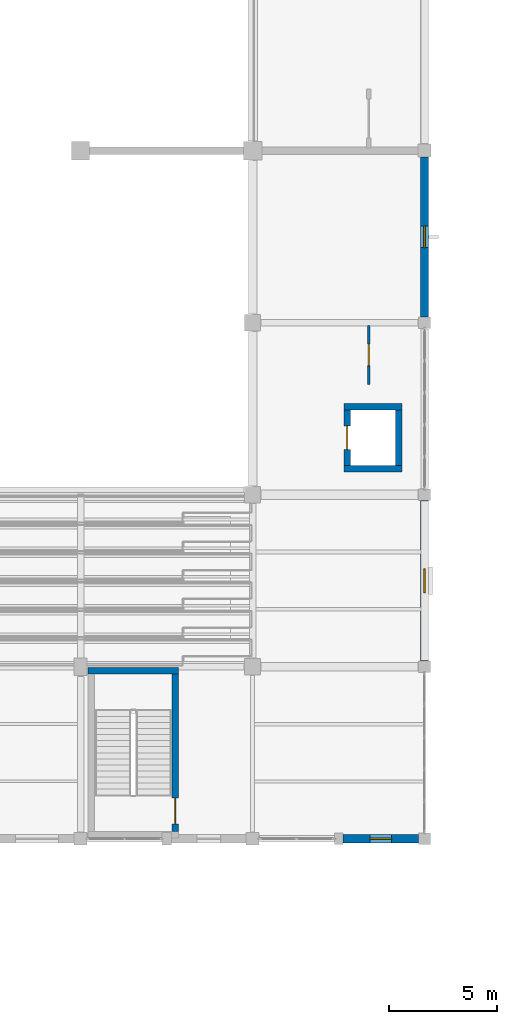
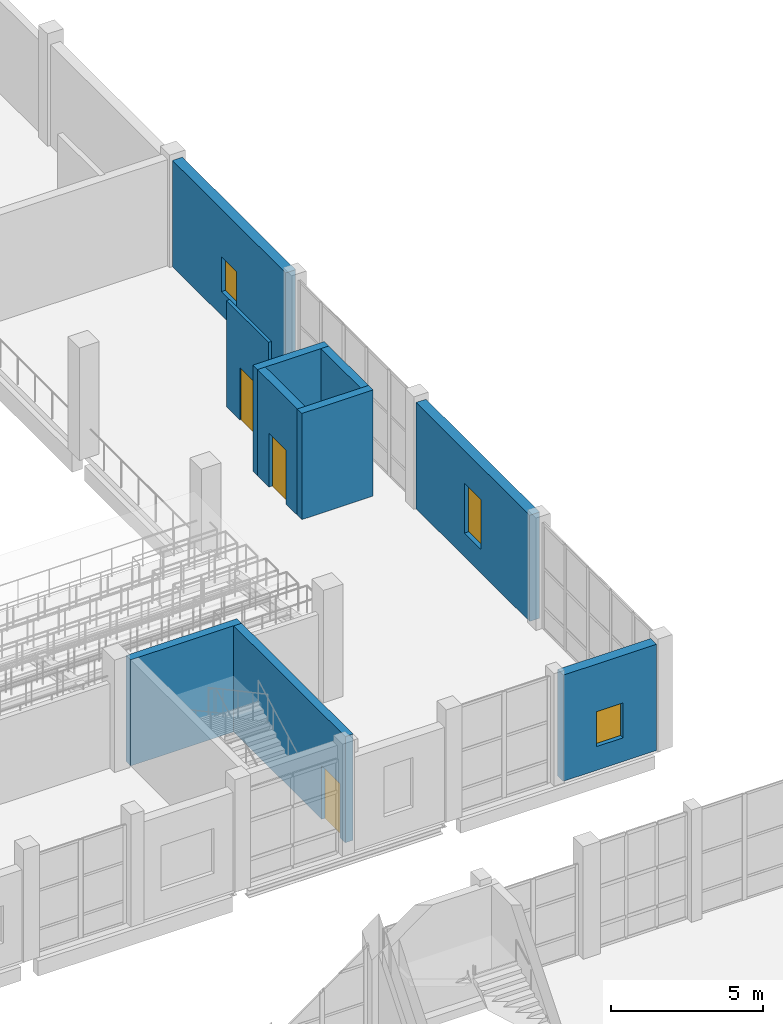
# One storey, part 141 of 183: 10 walls, 3 doors, 3 windows, 6 openings.
"""IFC4 building model written with IfcOpenShell, lengths in metres."""

from ifc_helpers import new_model, si_unit, direction, frame, frame_2d, origin, place, context, subcontext, project, spatial, rectangle, extrude, material, layer, layer_set, type_object, element, fill, save


model = new_model("IFC4")

# Units and contexts
model_context = context("Model", 3, precision=1e-05, world=origin(), true_north=direction((0.0, 1.0)))
body_context = subcontext(model_context, "Body", "Model", "MODEL_VIEW")
ifc_project = project(units=[si_unit("LENGTHUNIT", "METRE"), si_unit("AREAUNIT", "SQUARE_METRE"), si_unit("VOLUMEUNIT", "CUBIC_METRE"), si_unit("PLANEANGLEUNIT", "RADIAN"), si_unit("MASSUNIT", "GRAM", prefix="KILO")], contexts=[model_context])

# Site, building, storey
site_placement = place(None, origin())
site = spatial("IfcSite", under=ifc_project, at=site_placement, CompositionType="ELEMENT")
building_placement = place(site_placement, origin())
building = spatial("IfcBuilding", under=site, at=building_placement, Name="Luwemba Playhouse", CompositionType="ELEMENT")
storey_placement = place(building_placement, frame((0.0, 0.0, 4.800048828125)))
storey = spatial("IfcBuildingStorey", under=building, at=storey_placement, Name="L01", CompositionType="ELEMENT", Elevation=4.800048828125)

# Wall, opening, window
ifc_material_1 = material(Name="Clay facing brick obra vista masonry", Category="masonry")
ifc_layer_1 = layer(ifc_material_1, 0.3798828125)
ifc_layer_set_1 = layer_set([ifc_layer_1], Name="Clay facing brick obra vista masonry")
wall_type_1 = type_object("IfcWallType", Name="WAL-BRK-380", PredefinedType="SOLIDWALL", material=ifc_layer_set_1)
wall_1_placement = place(storey_placement, frame((52.0, 67.699951171875, 0.0), z_axis=(0.0, 0.0, 1.0), x_axis=(0.0, -1.0, 0.0)))
wall_1 = element("IfcWall", 1, at=wall_1_placement, inside=storey, type_object=wall_type_1, Name="L01 V1 exterior facade wall 0138", PredefinedType="SOLIDWALL", context=body_context, shape_type="SweptSolid", body=[
    extrude(rectangle(XDim=7.425048828125, YDim=0.3798828125, at=frame_2d((3.71240234375, 0.0))), origin(), (0.0, 0.0, 1.0), 4.25),
])
opening_1_placement = place(wall_1_placement, frame((3.21240234375, 0.0, 0.949951171875)))
opening_1 = element("IfcOpeningElement", 2, at=opening_1_placement, cuts=wall_1, Name="Opening WN-13", PredefinedType="OPENING", context=body_context, shape_type="SweptSolid", body=[
    extrude(rectangle(XDim=1.0, YDim=1.39990234375, at=frame_2d((0.5, 0.699951171875))), frame((0.0, 0.199951171875, 0.0), z_axis=(0.0, -1.0, 0.0), x_axis=(1.0, 0.0, 0.0)), (0.0, 0.0, 1.0), 0.39990234375),
])
ifc_material_2 = material(Name="Solar-control double glazing in aluminium frame", Category="aluminium")
window_type_1 = type_object("IfcWindowType", Name="WIN-WN-13", PartitioningType="SINGLE_PANEL", PredefinedType="WINDOW", material=ifc_material_2)
window_1_placement = place(opening_1_placement, origin())
window_1 = element("IfcWindow", 3, at=window_1_placement, inside=storey, type_object=window_type_1, Name="L01 V1 scheduled window 0093", OverallHeight=1.39990234375, OverallWidth=1.0, PartitioningType="SINGLE_PANEL", PredefinedType="WINDOW", context=body_context, shape_type="SweptSolid", body=[
    extrude(rectangle(XDim=1.0, YDim=1.39990234375, at=frame_2d((0.5, 0.699951171875))), frame((0.0, 0.030029296875, 0.0), z_axis=(0.0, -1.0, 0.0), x_axis=(1.0, 0.0, 0.0)), (0.0, 0.0, 1.0), 0.06005859375),
])
fill(opening_1, window_1)

wall_2_placement = place(storey_placement, frame((52.0, 51.72509765625, 0.0), z_axis=(0.0, 0.0, 1.0), x_axis=(0.0, -1.0, 0.0)))
wall_2 = element("IfcWall", 4, at=wall_2_placement, inside=storey, type_object=wall_type_1, Name="L01 V1 exterior facade wall 0139", PredefinedType="SOLIDWALL", context=body_context, shape_type="SweptSolid", body=[
    extrude(rectangle(XDim=7.4501953125, YDim=0.3798828125, at=frame_2d((3.72509765625, 0.0))), origin(), (0.0, 0.0, 1.0), 4.25),
])
opening_2_placement = place(wall_2_placement, frame((3.175048828125, 0.0, 0.949951171875)))
opening_2 = element("IfcOpeningElement", 5, at=opening_2_placement, cuts=wall_2, Name="Opening WN-19", PredefinedType="OPENING", context=body_context, shape_type="SweptSolid", body=[
    extrude(rectangle(XDim=1.10009765625, YDim=2.0, at=frame_2d((0.550048828125, 1.0))), frame((0.0, 0.199951171875, 0.0), z_axis=(0.0, -1.0, 0.0), x_axis=(1.0, 0.0, 0.0)), (0.0, 0.0, 1.0), 0.39990234375),
])
window_type_2 = type_object("IfcWindowType", Name="WIN-WN-19", PartitioningType="SINGLE_PANEL", PredefinedType="WINDOW", material=ifc_material_2)
window_2_placement = place(opening_2_placement, origin())
window_2 = element("IfcWindow", 6, at=window_2_placement, inside=storey, type_object=window_type_2, Name="L01 V1 scheduled window 0094", OverallHeight=2.0, OverallWidth=1.10009765625, PartitioningType="SINGLE_PANEL", PredefinedType="WINDOW", context=body_context, shape_type="SweptSolid", body=[
    extrude(rectangle(XDim=1.10009765625, YDim=2.0, at=frame_2d((0.550048828125, 1.0))), frame((0.0, 0.030029296875, 0.0), z_axis=(0.0, -1.0, 0.0), x_axis=(1.0, 0.0, 0.0)), (0.0, 0.0, 1.0), 0.06005859375),
])
fill(opening_2, window_2)

wall_3_placement = place(storey_placement, frame((51.72509765625, 36.0, 0.0), z_axis=(0.0, 0.0, 1.0), x_axis=(-1.0, 0.0, 0.0)))
wall_3 = element("IfcWall", 7, at=wall_3_placement, inside=storey, type_object=wall_type_1, Name="L01 V1 exterior facade wall 0140", PredefinedType="SOLIDWALL", context=body_context, shape_type="SweptSolid", body=[
    extrude(rectangle(XDim=3.525146484375, YDim=0.3798828125, at=frame_2d((1.7626953125, 0.0))), origin(), (0.0, 0.0, 1.0), 4.25),
])
opening_3_placement = place(wall_3_placement, frame((1.262451171875, 0.0, 0.949951171875)))
opening_3 = element("IfcOpeningElement", 8, at=opening_3_placement, cuts=wall_3, Name="Opening WN-13", PredefinedType="OPENING", context=body_context, shape_type="SweptSolid", body=[
    extrude(rectangle(XDim=1.0, YDim=1.39990234375, at=frame_2d((0.5, 0.699951171875))), frame((0.0, 0.199951171875, 0.0), z_axis=(0.0, -1.0, 0.0), x_axis=(1.0, 0.0, 0.0)), (0.0, 0.0, 1.0), 0.39990234375),
])
window_3_placement = place(opening_3_placement, origin())
window_3 = element("IfcWindow", 9, at=window_3_placement, inside=storey, type_object=window_type_1, Name="L01 V1 scheduled window 0095", OverallHeight=1.39990234375, OverallWidth=1.0, PartitioningType="SINGLE_PANEL", PredefinedType="WINDOW", context=body_context, shape_type="SweptSolid", body=[
    extrude(rectangle(XDim=1.0, YDim=1.39990234375, at=frame_2d((0.5, 0.699951171875))), frame((0.0, 0.030029296875, 0.0), z_axis=(0.0, -1.0, 0.0), x_axis=(1.0, 0.0, 0.0)), (0.0, 0.0, 1.0), 0.06005859375),
])
fill(opening_3, window_3)

# Wall
ifc_material_3 = material(Name="Concrete C40/50", Category="concrete")
ifc_layer_2 = layer(ifc_material_3, 0.300048828125)
ifc_layer_set_2 = layer_set([ifc_layer_2], Name="Concrete C40/50")
wall_type_2 = type_object("IfcWallType", Name="WAL-CORE-300", PredefinedType="SHEAR", material=ifc_layer_set_2)
wall_4_placement = place(storey_placement, frame((40.550048828125, 43.81005859375, 0.0), z_axis=(0.0, 0.0, 1.0), x_axis=(-1.0, 0.0, 0.0)))
element("IfcWall", 10, at=wall_4_placement, inside=storey, type_object=wall_type_2, Name="L01 ST-02 stair core wall N", PredefinedType="SHEAR", context=body_context, shape_type="SweptSolid", body=[
    extrude(rectangle(XDim=4.199951171875, YDim=0.300048828125, at=frame_2d((2.10009765625, 0.0))), origin(), (0.0, 0.0, 1.0), 4.25),
])

# Wall, opening, door
wall_5_placement = place(storey_placement, frame((40.39990234375, 36.340087890625, 0.0), z_axis=(0.0, 0.0, 1.0), x_axis=(0.0, 1.0, 0.0)))
wall_5 = element("IfcWall", 11, at=wall_5_placement, inside=storey, type_object=wall_type_2, Name="L01 ST-02 stair core wall E", PredefinedType="SHEAR", context=body_context, shape_type="SweptSolid", body=[
    extrude(rectangle(XDim=7.31982421875, YDim=0.300048828125, at=frame_2d((3.659912109375, 0.0))), origin(), (0.0, 0.0, 1.0), 4.25),
])
opening_4_placement = place(wall_5_placement, frame((0.35009765625, 0.0, 0.0)))
opening_4 = element("IfcOpeningElement", 12, at=opening_4_placement, cuts=wall_5, Name="Opening D-STAIR3", PredefinedType="OPENING", context=body_context, shape_type="SweptSolid", body=[
    extrude(rectangle(XDim=1.199951171875, YDim=2.14990234375, at=frame_2d((0.60009765625, 1.074951171875))), frame((0.0, 0.159912109375, 0.0), z_axis=(0.0, -1.0, 0.0), x_axis=(1.0, 0.0, 0.0)), (0.0, 0.0, 1.0), 0.320068359375),
])
ifc_material_4 = material(Name="Hardwood acoustic fire door leaf", Category="wood")
door_type_1 = type_object("IfcDoorType", Name="DR-STAIR-120", OperationType="NOTDEFINED", PredefinedType="DOOR", material=ifc_material_4)
door_1_placement = place(opening_4_placement, origin())
door_1 = element("IfcDoor", 13, at=door_1_placement, inside=storey, type_object=door_type_1, Name="L01 ST-02 protected stair entry door", OperationType="SINGLE_SWING_RIGHT", OverallHeight=2.14990234375, OverallWidth=1.199951171875, PredefinedType="DOOR", context=body_context, shape_type="SweptSolid", body=[
    extrude(rectangle(XDim=1.199951171875, YDim=2.14990234375, at=frame_2d((0.60009765625, 1.074951171875))), frame((0.0, 0.02490234375, 0.0), z_axis=(0.0, -1.0, 0.0), x_axis=(1.0, 0.0, 0.0)), (0.0, 0.0, 1.0), 0.050048828125),
])
fill(opening_4, door_1)

# Walls
for number, where, z_axis, x_axis, name in (
    (14, (48.25, 53.199951171875, 0.0), (0.0, 0.0, 1.0), (1.0, 0.0, 0.0), "L01 Lift LF-P1 shaft wall S"),
    (15, (50.949951171875, 56.10009765625, 0.0), (0.0, 0.0, 1.0), (-1.0, 0.0, 0.0), "L01 Lift LF-P1 shaft wall N"),
):
    element("IfcWall", number, at=place(storey_placement, frame(where, z_axis=z_axis, x_axis=x_axis)), inside=storey, type_object=wall_type_2, Name=name, PredefinedType="SHEAR", context=body_context, shape_type="SweptSolid", body=[
        extrude(rectangle(XDim=2.699951171875, YDim=0.300048828125, at=frame_2d((1.35009765625, 0.0))), origin(), (0.0, 0.0, 1.0), 4.25),
    ])

# Wall, opening, door
wall_6_placement = place(storey_placement, frame((48.39990234375, 53.35009765625, 0.0), z_axis=(0.0, 0.0, 1.0), x_axis=(0.0, 1.0, 0.0)))
wall_6 = element("IfcWall", 16, at=wall_6_placement, inside=storey, type_object=wall_type_2, Name="L01 Lift LF-P1 shaft wall W", PredefinedType="SHEAR", context=body_context, shape_type="SweptSolid", body=[
    extrude(rectangle(XDim=2.599853515625, YDim=0.300048828125, at=frame_2d((1.2998046875, 0.0))), origin(), (0.0, 0.0, 1.0), 4.25),
])
opening_5_placement = place(wall_6_placement, frame((0.75, 0.0, 0.0)))
opening_5 = element("IfcOpeningElement", 17, at=opening_5_placement, cuts=wall_6, Name="Opening LD-01", PredefinedType="OPENING", context=body_context, shape_type="SweptSolid", body=[
    extrude(rectangle(XDim=1.10009765625, YDim=2.14990234375, at=frame_2d((0.550048828125, 1.074951171875))), frame((0.0, 0.159912109375, 0.0), z_axis=(0.0, -1.0, 0.0), x_axis=(1.0, 0.0, 0.0)), (0.0, 0.0, 1.0), 0.320068359375),
])
ifc_material_5 = material(Name="Stainless steel lift landing doors", Category="steel")
door_type_2 = type_object("IfcDoorType", Name="DR-LIFT-110", OperationType="NOTDEFINED", PredefinedType="DOOR", material=ifc_material_5)
door_2_placement = place(opening_5_placement, origin())
door_2 = element("IfcDoor", 18, at=door_2_placement, inside=storey, type_object=door_type_2, Name="L01 Lift LF-P1 landing door", OperationType="DOUBLE_DOOR_SLIDING", OverallHeight=2.14990234375, OverallWidth=1.10009765625, PredefinedType="DOOR", context=body_context, shape_type="SweptSolid", body=[
    extrude(rectangle(XDim=1.10009765625, YDim=2.14990234375, at=frame_2d((0.550048828125, 1.074951171875))), frame((0.0, 0.02490234375, 0.0), z_axis=(0.0, -1.0, 0.0), x_axis=(1.0, 0.0, 0.0)), (0.0, 0.0, 1.0), 0.050048828125),
])
fill(opening_5, door_2)

# Wall
wall_7_placement = place(storey_placement, frame((50.800048828125, 55.949951171875, 0.0), z_axis=(0.0, 0.0, 1.0), x_axis=(0.0, -1.0, 0.0)))
element("IfcWall", 19, at=wall_7_placement, inside=storey, type_object=wall_type_2, Name="L01 Lift LF-P1 shaft wall E", PredefinedType="SHEAR", context=body_context, shape_type="SweptSolid", body=[
    extrude(rectangle(XDim=2.599853515625, YDim=0.300048828125, at=frame_2d((1.2998046875, 0.0))), origin(), (0.0, 0.0, 1.0), 4.25),
])

# Wall, opening, door
ifc_material_6 = material(Name="Moisture-resistant sanitary partition", Category="gypsum")
ifc_layer_3 = layer(ifc_material_6, 0.1201171875)
ifc_layer_set_3 = layer_set([ifc_layer_3], Name="Moisture-resistant sanitary partition")
wall_type_3 = type_object("IfcWallType", Name="WAL-INT-120", PredefinedType="PARTITIONING", material=ifc_layer_set_3)
wall_8_placement = place(storey_placement, frame((49.39990234375, 57.1201171875, 0.0), z_axis=(0.0, 0.0, 1.0), x_axis=(0.0, 1.0, 0.0)))
wall_8 = element("IfcWall", 20, at=wall_8_placement, inside=storey, type_object=wall_type_3, Name="L01 V1 interior partition 0122", PredefinedType="PARTITIONING", context=body_context, shape_type="SweptSolid", body=[
    extrude(rectangle(XDim=2.759765625, YDim=0.1201171875, at=frame_2d((1.3798828125, 0.0))), origin(), (0.0, 0.0, 1.0), 4.25),
])
opening_6_placement = place(wall_8_placement, frame((0.8798828125, 0.0, 0.0)))
opening_6 = element("IfcOpeningElement", 21, at=opening_6_placement, cuts=wall_8, Name="Opening D-AWC", PredefinedType="OPENING", context=body_context, shape_type="SweptSolid", body=[
    extrude(rectangle(XDim=1.0, YDim=2.10009765625, at=frame_2d((0.5, 1.050048828125))), frame((0.0, 0.070068359375, 0.0), z_axis=(0.0, -1.0, 0.0), x_axis=(1.0, 0.0, 0.0)), (0.0, 0.0, 1.0), 0.14013671875),
])
ifc_material_7 = material(Name="Accessible WC outward-assisted timber door", Category="wood")
door_type_3 = type_object("IfcDoorType", Name="DR-AWC-100", OperationType="NOTDEFINED", PredefinedType="DOOR", material=ifc_material_7)
door_3_placement = place(opening_6_placement, origin())
door_3 = element("IfcDoor", 22, at=door_3_placement, inside=storey, type_object=door_type_3, Name="L01 Dress Circle Public Toilets to Dress Circle Accessible WC door", OperationType="SINGLE_SWING_LEFT", OverallHeight=2.10009765625, OverallWidth=1.0, PredefinedType="DOOR", context=body_context, shape_type="SweptSolid", body=[
    extrude(rectangle(XDim=1.0, YDim=2.10009765625, at=frame_2d((0.5, 1.050048828125))), frame((0.0, 0.02490234375, 0.0), z_axis=(0.0, -1.0, 0.0), x_axis=(1.0, 0.0, 0.0)), (0.0, 0.0, 1.0), 0.050048828125),
])
fill(opening_6, door_3)

save(model, "model.ifc")
